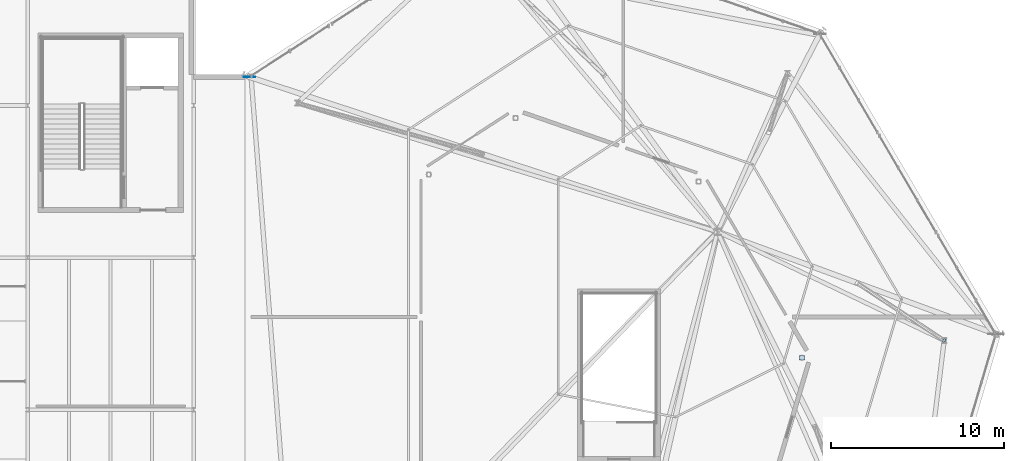
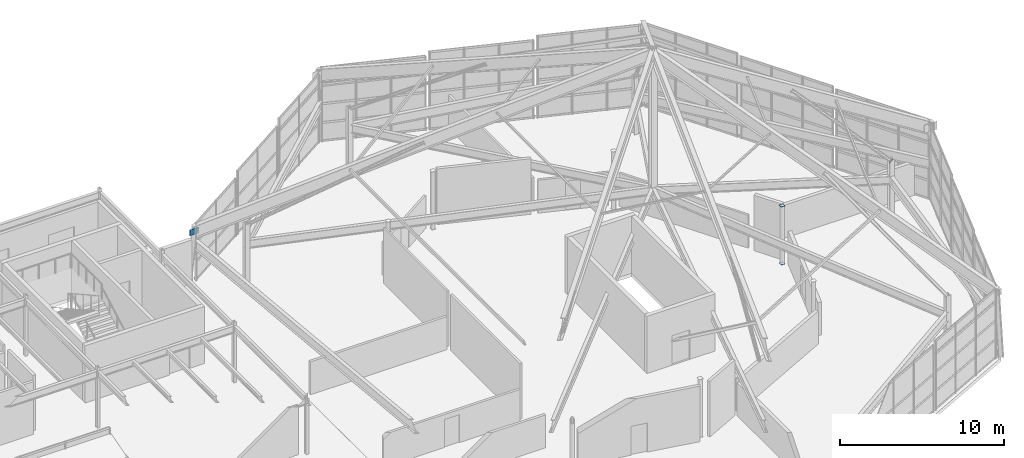
# One storey, part 34 of 50: 4 plates.
"""IFC4 building model written with IfcOpenShell, lengths in metres."""

import ifcopenshell
import ifcopenshell.guid

model = None  # the IFC model being written
_history = None  # IfcOwnerHistory: only IFC2X3 demands one
_inside = {}  # id of a spatial element -> (the spatial element, [elements in it])
_under = {}  # id of a project, library or spatial element -> (it, [spatial elements below it])
_declared = {}  # id of a project -> (the project, [libraries it declares])
_typed = {}  # id of a type object -> (the type object, [elements of that type])
_made_of = {}  # id of a material, layer set ... -> (it, [elements and type objects made of it])


def new_model(schema):
    """Start an empty IFC model of exactly this schema.

    Asked for "IFC4X3", IfcOpenShell would pick the latest addendum, in which some entities
    have other attributes; the version numbers below select the first issue.
    IFC2X3 requires an IfcOwnerHistory on every rooted entity: one is made here for all.
    """
    global model, _history
    if schema == "IFC4X3":
        model = ifcopenshell.file(schema_version=(4, 3, 0, 0))
    else:
        model = ifcopenshell.file(schema=schema)
    _inside.clear()
    _under.clear()
    _declared.clear()
    _typed.clear()
    _made_of.clear()
    _history = None
    if model.schema == "IFC2X3":
        org = make("IfcOrganization", Name="unknown")
        user = make(
            "IfcPersonAndOrganization",
            ThePerson=make("IfcPerson", FamilyName="unknown"),
            TheOrganization=org,
        )
        app = make(
            "IfcApplication",
            ApplicationDeveloper=org,
            Version="unknown",
            ApplicationFullName="unknown",
            ApplicationIdentifier="unknown",
        )
        _history = make(
            "IfcOwnerHistory",
            OwningUser=user,
            OwningApplication=app,
            ChangeAction="ADDED",
            CreationDate=0,
        )
    return model


def make(cls, **values):
    """One entity of the class cls with the attributes given. An attribute that is None is left unset."""
    return model.create_entity(
        cls, **{name: value for name, value in values.items() if value is not None}
    )


def rooted(cls, **values):
    """An entity with a GlobalId (a new one), such as an element, a storey or a relation."""
    return make(cls, GlobalId=ifcopenshell.guid.new(), OwnerHistory=_history, **values)


def si_unit(unit_type, name, prefix=None):
    """IfcSIUnit, for example si_unit("LENGTHUNIT", "METRE", prefix="MILLI")."""
    return make("IfcSIUnit", UnitType=unit_type, Prefix=prefix, Name=name)


def assignment(units):
    """IfcUnitAssignment: the units of a project."""
    return None if units is None else make("IfcUnitAssignment", Units=units)


def point(xyz):
    """IfcCartesianPoint."""
    return None if xyz is None else make("IfcCartesianPoint", Coordinates=xyz)


def direction(xyz):
    """IfcDirection."""
    return None if xyz is None else make("IfcDirection", DirectionRatios=xyz)


def frame(location, z_axis=None, x_axis=None):
    """IfcAxis2Placement3D, a coordinate frame: its origin and axes. An axis left out is left unset."""
    return make(
        "IfcAxis2Placement3D",
        Location=point(location),
        Axis=direction(z_axis),
        RefDirection=direction(x_axis),
    )


def frame_2d(location, x_axis=None):
    """IfcAxis2Placement2D, a coordinate frame in the plane: its origin and x axis."""
    return make(
        "IfcAxis2Placement2D", Location=point(location), RefDirection=direction(x_axis)
    )


def origin():
    """The frame at (0, 0, 0) with its axes left unset."""
    return frame((0.0, 0.0, 0.0))


def origin_2d():
    """The frame at (0, 0) in the plane with its x axis left unset."""
    return frame_2d((0.0, 0.0))


def place(relative_to, where):
    """IfcLocalPlacement: puts the frame where relative to a parent placement (None: the world)."""
    return make(
        "IfcLocalPlacement", PlacementRelTo=relative_to, RelativePlacement=where
    )


def context(
    kind, dimensions, precision=None, world=None, true_north=None, identifier=None
):
    """IfcGeometricRepresentationContext, for example the 3D "Model" context."""
    return make(
        "IfcGeometricRepresentationContext",
        ContextIdentifier=identifier,
        ContextType=kind,
        CoordinateSpaceDimension=dimensions,
        Precision=precision,
        WorldCoordinateSystem=world,
        TrueNorth=true_north,
    )


def subcontext(parent, identifier, kind, view, scale=None):
    """IfcGeometricRepresentationSubContext, for example "Body" below "Model"."""
    return make(
        "IfcGeometricRepresentationSubContext",
        ContextIdentifier=identifier,
        ContextType=kind,
        ParentContext=parent,
        TargetScale=scale,
        TargetView=view,
    )


def project(units=None, contexts=None):
    """IfcProject with its units and contexts."""
    return rooted(
        "IfcProject",
        Name="project",
        RepresentationContexts=contexts,
        UnitsInContext=assignment(units),
    )


def spatial(cls, under=None, at=None, **own):
    """A site, building, storey or space (cls), placed at a placement, below another one or the project."""
    s = rooted(cls, ObjectPlacement=at, **own)
    if under is not None:
        _under.setdefault(under.id(), (under, []))[1].append(s)
    return s


def profile(cls, at=None, kind="AREA", **sizes):
    """A parametric profile (cls). Its sizes go by their IFC names, for example OverallWidth=200.0."""
    return make(cls, ProfileType=kind, Position=at, **sizes)


def rectangle(**sizes):
    """IfcRectangleProfileDef."""
    return profile("IfcRectangleProfileDef", **sizes)


def extrude(swept, where, along, depth):
    """IfcExtrudedAreaSolid: the profile swept, set in the frame where, extruded along a direction by depth."""
    return make(
        "IfcExtrudedAreaSolid",
        SweptArea=swept,
        Position=where,
        ExtrudedDirection=direction(along),
        Depth=depth,
    )


def shape(context_of_items, identifier, shape_type, items):
    """IfcShapeRepresentation: the items that make up one representation, for example the "Body"."""
    return make(
        "IfcShapeRepresentation",
        ContextOfItems=context_of_items,
        RepresentationIdentifier=identifier,
        RepresentationType=shape_type,
        Items=items,
    )


def material(Name=None, Category=None):
    """IfcMaterial."""
    return make("IfcMaterial", Name=Name, Category=Category)


def layer(
    of_material, thickness, ventilated=None, Name=None, Category=None, Priority=None
):
    """IfcMaterialLayer: one layer of a wall or slab, of a material (None: an air gap)."""
    return make(
        "IfcMaterialLayer",
        Material=of_material,
        LayerThickness=thickness,
        IsVentilated=ventilated,
        Name=Name,
        Category=Category,
        Priority=Priority,
    )


def layer_set(layers, Name=None):
    """IfcMaterialLayerSet."""
    return make("IfcMaterialLayerSet", MaterialLayers=layers, LayerSetName=Name)


def made_of(thing, what):
    """Note that an element or type object is made of a material, layer set ...; save() writes the relation."""
    if what is not None:
        _made_of.setdefault(what.id(), (what, []))[1].append(thing)
    return thing


def type_object(cls, material=None, **own):
    """A type object (cls), such as IfcWallType, which elements share."""
    return made_of(rooted(cls, **own), material)


def element(
    cls,
    number,
    at=None,
    inside=None,
    cuts=None,
    type_object=None,
    material=None,
    context=None,
    identifier="Body",
    shape_type=None,
    held_by="IfcProductDefinitionShape",
    body=None,
    shapes=None,
    **own,
):
    """One element of the class cls, such as IfcWall. Its Tag is "e" and its number.

    at: its placement. inside: the storey or other place that contains it. cuts: it is an
    opening in that element (IfcRelVoidsElement). A single representation is given by context,
    identifier, shape_type and body (its items); several are given by shapes. held_by: the class
    of the entity that holds the representations. save() writes the other relations.
    """
    e = rooted(cls, Tag="e%d" % number, ObjectPlacement=at, **own)
    if body is not None:
        shapes = [shape(context, identifier, shape_type, body)]
    if shapes is not None:
        e.Representation = make(held_by, Representations=shapes)
    if inside is not None:
        _inside.setdefault(inside.id(), (inside, []))[1].append(e)
    if cuts is not None:
        rooted(
            "IfcRelVoidsElement", RelatingBuildingElement=cuts, RelatedOpeningElement=e
        )
    if type_object is not None:
        _typed.setdefault(type_object.id(), (type_object, []))[1].append(e)
    return made_of(e, material)


def aggregate(whole, parts):
    """IfcRelAggregates: a whole, such as a stair, and the parts it consists of."""
    return rooted("IfcRelAggregates", RelatingObject=whole, RelatedObjects=parts)


def save(model, path):
    """Write the relations noted so far, then the file.

    IfcRelAggregates (storeys below a building ...), IfcRelContainedInSpatialStructure (elements
    in a storey), IfcRelDefinesByType, IfcRelAssociatesMaterial and IfcRelDeclares: one each for
    every whole, place, type object, material and project.
    """
    for whole, parts in _under.values():
        aggregate(whole, parts)
    for where, things in _inside.values():
        rooted(
            "IfcRelContainedInSpatialStructure",
            RelatedElements=things,
            RelatingStructure=where,
        )
    for kind, things in _typed.values():
        rooted("IfcRelDefinesByType", RelatedObjects=things, RelatingType=kind)
    for what, things in _made_of.values():
        rooted("IfcRelAssociatesMaterial", RelatedObjects=things, RelatingMaterial=what)
    for by, libraries in _declared.values():
        rooted("IfcRelDeclares", RelatingContext=by, RelatedDefinitions=libraries)
    model.write(path)


model = new_model("IFC4")

# Units and contexts
model_context = context("Model", 3, precision=1e-05, world=origin(), true_north=direction((0.0, 1.0)))
body_context = subcontext(model_context, "Body", "Model", "MODEL_VIEW")
ifc_project = project(units=[si_unit("LENGTHUNIT", "METRE"), si_unit("AREAUNIT", "SQUARE_METRE"), si_unit("VOLUMEUNIT", "CUBIC_METRE"), si_unit("PLANEANGLEUNIT", "RADIAN"), si_unit("MASSUNIT", "GRAM", prefix="KILO")], contexts=[model_context])

# Site, building, storey
site_placement = place(None, origin())
site = spatial("IfcSite", under=ifc_project, at=site_placement, CompositionType="ELEMENT")
building_placement = place(site_placement, origin())
building = spatial("IfcBuilding", under=site, at=building_placement, Name="Sarnbrook Museum", CompositionType="ELEMENT")
storey_placement = place(building_placement, frame((0.0, 0.0, 28.10009765625)))
storey = spatial("IfcBuildingStorey", under=building, at=storey_placement, Name="L05", CompositionType="ELEMENT", Elevation=28.10009765625)

# Plates
ifc_material = material(Name="Structural Steel Grade 350L0 (AS/NZS 3678, fy = 340 MPa for 20 < t <= 40 mm)", Category="steel")
ifc_layer_1 = layer(ifc_material, 0.01611328125)
ifc_layer_set_1 = layer_set([ifc_layer_1], Name="Structural Steel Grade 350L0 (AS/NZS 3678, fy = 340 MPa for 20 < t <= 40 mm)")
plate_type_1 = type_object("IfcPlateType", Name="EndCapPlate_CAP219", PredefinedType="USERDEFINED", material=ifc_layer_set_1)
plate_1_placement = place(storey_placement, frame((162.6171875, 87.20361328125, 4.1396484375), z_axis=(-0.643707813118, 0.424301956611, 0.636873693087), x_axis=(-0.550349521933, -0.834934370899, 0.0)))
element("IfcPlate", 1, at=plate_1_placement, inside=storey, type_object=plate_type_1, Name="Hollow End Cap Plate CRTR:WEB:4-1", ObjectType="END CAP PLATE", PredefinedType="USERDEFINED", context=body_context, shape_type="SweptSolid", body=[
    extrude(rectangle(XDim=0.22509765625, YDim=0.22509765625, at=origin_2d()), origin(), (0.0, 0.0, 1.0), 0.01611328125),
])
ifc_layer_2 = layer(ifc_material, 0.01611328125)
ifc_layer_set_2 = layer_set([ifc_layer_2], Name="Structural Steel Grade 350L0 (AS/NZS 3678, fy = 340 MPa for 20 < t <= 40 mm)")
plate_type_2 = type_object("IfcPlateType", Name="EndCapPlate_CAP273", PredefinedType="USERDEFINED", material=ifc_layer_set_2)
for number, where, z_axis, x_axis, name in (
    (2, (154.382080078125, 86.210205078125, -0.01611328125), (0.0, 0.0, 1.0), (1.0, 0.0, 0.0), "Hollow End Cap Plate COL:L05:V1R2-3-1"),
    (3, (154.382080078125, 86.210205078125, 4.2998046875), (0.0, 0.0, 1.0), (1.0, 0.0, 0.0), "Hollow End Cap Plate COL:L05:V1R2-3-2"),
):
    element("IfcPlate", number, at=place(storey_placement, frame(where, z_axis=z_axis, x_axis=x_axis)), inside=storey, type_object=plate_type_2, Name=name, ObjectType="END CAP PLATE", PredefinedType="USERDEFINED", context=body_context, shape_type="SweptSolid", body=[
        extrude(rectangle(XDim=0.280029296875, YDim=0.280029296875, at=origin_2d()), origin(), (0.0, 0.0, 1.0), 0.01611328125),
    ])
ifc_layer_3 = layer(ifc_material, 0.028076171875)
ifc_layer_set_3 = layer_set([ifc_layer_3], Name="Structural Steel Grade 350L0 (AS/NZS 3678, fy = 340 MPa for 20 < t <= 40 mm)")
plate_type_3 = type_object("IfcPlateType", Name="GussetPlate_KN5", PredefinedType="USERDEFINED", material=ifc_layer_set_3)
plate_2_placement = place(storey_placement, frame((122.4189453125, 102.451416015625, 3.5), z_axis=(0.0, 0.0, 1.0), x_axis=(1.0, 0.0, 0.0)))
element("IfcPlate", 4, at=plate_2_placement, inside=storey, type_object=plate_type_3, Name="Crystal Roof Eaves Node Plate KN5-7", ObjectType="GUSSET PLATE", PredefinedType="USERDEFINED", context=body_context, shape_type="SweptSolid", body=[
    extrude(rectangle(XDim=0.659912109375, YDim=0.028076171875, at=origin_2d()), origin(), (0.0, 0.0, 1.0), 0.43994140625),
])

save(model, "model.ifc")
